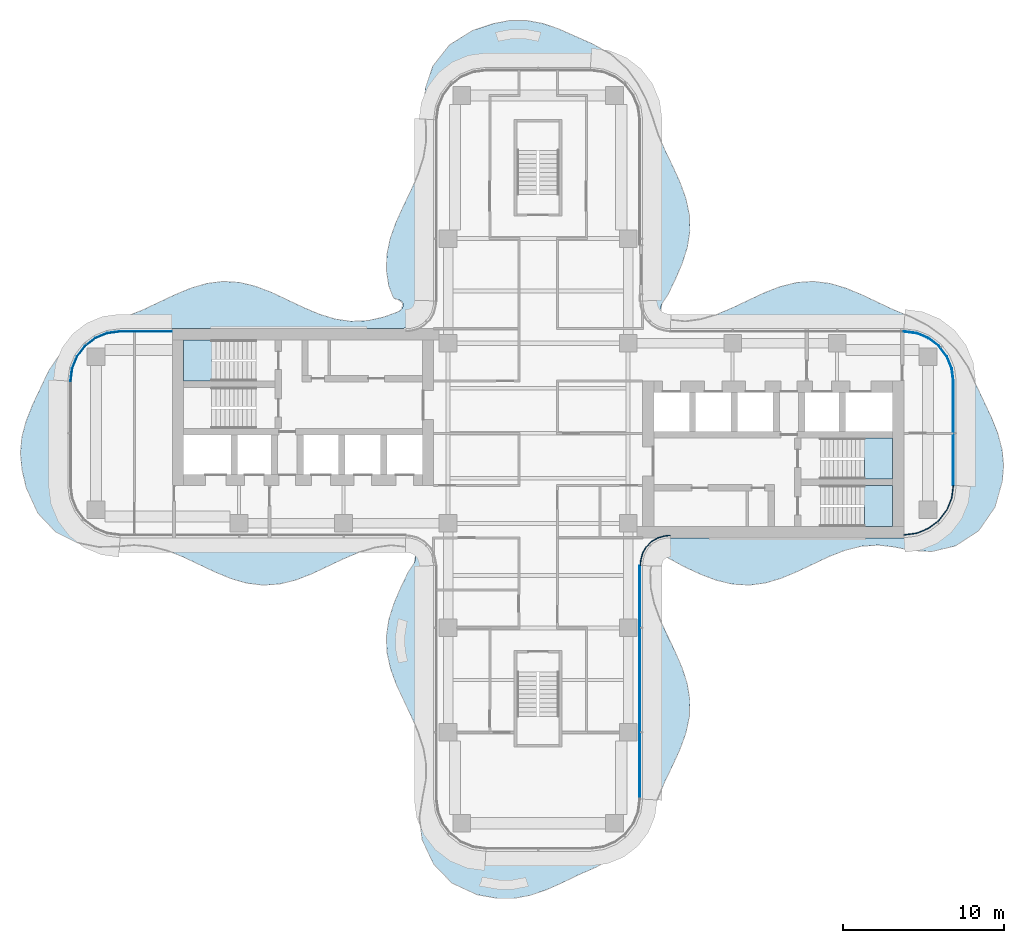
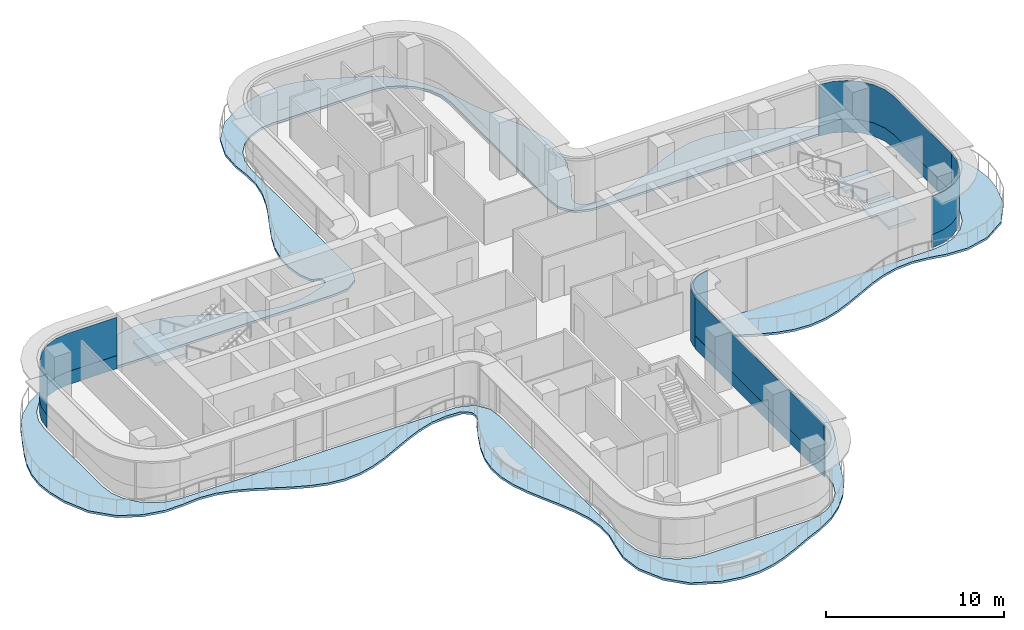
# One storey, part 11 of 18: 9 plates, 4 slabs, 8 elements without a shape of their own.
"""IFC4 building model written with IfcOpenShell, lengths in metres."""

from ifc_helpers import new_model, si_unit, direction, frame, origin, place, context, subcontext, project, spatial, polyline, outline, extrude, source, transform, mapped, material, layer, layer_set, type_object, element, aggregate, save


model = new_model("IFC4")

# Units and contexts
model_context = context("Model", 3, precision=1e-05, world=origin(), true_north=direction((0.0, 1.0)))
body_context = subcontext(model_context, "Body", "Model", "MODEL_VIEW")
ifc_project = project(units=[si_unit("LENGTHUNIT", "METRE"), si_unit("AREAUNIT", "SQUARE_METRE"), si_unit("VOLUMEUNIT", "CUBIC_METRE"), si_unit("PLANEANGLEUNIT", "RADIAN"), si_unit("MASSUNIT", "GRAM", prefix="KILO")], contexts=[model_context])

# Site, building, storey
site_placement = place(None, origin())
site = spatial("IfcSite", under=ifc_project, at=site_placement, CompositionType="ELEMENT")
building_placement = place(site_placement, origin())
building = spatial("IfcBuilding", under=site, at=building_placement, Name="Trellis Farm Tower", CompositionType="ELEMENT")
storey_placement = place(building_placement, frame((0.0, 0.0, 224.60009765625)))
storey = spatial("IfcBuildingStorey", under=building, at=storey_placement, Name="L49", CompositionType="ELEMENT", Elevation=224.60009765625)

# Slab
ifc_material_1 = material(Name="Concrete C40/50", Category="concrete")
ifc_layer_1 = layer(ifc_material_1, 0.14990234375)
ifc_layer_set_1 = layer_set([ifc_layer_1], Name="Balcony slab 150")
slab_type_1 = type_object("IfcSlabType", Name="Balcony slab 150", PredefinedType="FLOOR", material=ifc_layer_set_1)
slab_1_placement = place(storey_placement, frame((0.0, 0.0, -0.150146484375)))
element("IfcSlab", 1, at=slab_1_placement, inside=storey, type_object=slab_type_1, Name="Balcony slab", PredefinedType="FLOOR", context=body_context, shape_type="SweptSolid", body=[
    extrude(outline(polyline([(-22.111572265625, -7.6748046875), (-23.0732421875, -7.297607421875), (-23.081787109375, -7.294677734375), (-24.061767578125, -7.041015625), (-24.074462890625, -7.038818359375), (-25.118896484375, -6.953369140625), (-25.13134765625, -6.953369140625), (-26.142578125, -7.040283203125), (-26.152099609375, -7.041015625), (-27.331787109375, -7.069091796875), (-27.364501953125, -7.066162109375), (-28.6494140625, -6.81201171875), (-28.686767578125, -6.79931640625), (-29.948486328125, -6.1748046875), (-29.97119140625, -6.160888671875), (-29.998291015625, -6.140869140625), (-30.017822265625, -6.12353515625), (-31.110595703125, -4.97314453125), (-31.138427734375, -4.931884765625), (-31.826171875, -3.416015625), (-31.83544921875, -3.388427734375), (-32.097900390625, -2.272216796875), (-32.101318359375, -2.252197265625), (-32.197265625, -1.24951171875), (-32.197265625, -1.221435546875), (-32.10791015625, -0.2509765625), (-32.103515625, -0.226318359375), (-31.846435546875, 0.74755859375), (-31.8408203125, 0.7646484375), (-31.451171875, 1.74609375), (-31.447265625, 1.7548828125), (-30.43994140625, 3.881103515625), (-30.428466796875, 3.90087890625), (-29.654296875, 5.041748046875), (-29.632080078125, 5.067626953125), (-28.76171875, 5.873046875), (-28.73828125, 5.890625), (-27.765625, 6.48828125), (-27.744384765625, 6.4990234375), (-26.688720703125, 6.93505859375), (-26.676025390625, 6.939697265625), (-25.614990234375, 7.27001953125), (-25.610107421875, 7.271484375), (-24.615478515625, 7.65625), (-24.610595703125, 7.658447265625), (-22.61083984375, 8.60400390625), (-22.6044921875, 8.606689453125), (-21.62109375, 9.017822265625), (-21.60546875, 9.0234375), (-20.603271484375, 9.317626953125), (-20.57958984375, 9.322509765625), (-19.60400390625, 9.444091796875), (-19.576416015625, 9.44482421875), (-18.60546875, 9.385498046875), (-18.580078125, 9.3818359375), (-17.628662109375, 9.1572265625), (-17.610107421875, 9.151611328125), (-16.60888671875, 8.774169921875), (-16.597900390625, 8.769287109375), (-14.619384765625, 7.835205078125), (-14.61669921875, 7.833984375), (-13.632080078125, 7.414794921875), (-13.625, 7.412109375), (-12.644287109375, 7.109130859375), (-12.633056640625, 7.106689453125), (-11.652587890625, 6.96240234375), (-11.638427734375, 6.9619140625), (-10.591064453125, 7.00634765625), (-10.577880859375, 7.008056640625), (-9.597900390625, 7.22900390625), (-9.588623046875, 7.231689453125), (-8.6962890625, 7.560302734375), (-8.681640625, 7.5673828125), (-8.568603515625, 7.639892578125), (-8.555908203125, 7.650146484375), (-8.497802734375, 7.70849609375), (-8.485107421875, 7.72509765625), (-8.40673828125, 7.868408203125), (-8.397705078125, 7.908447265625), (-8.407470703125, 8.060546875), (-8.42138671875, 8.09912109375), (-8.51123046875, 8.222412109375), (-8.543701171875, 8.24755859375), (-8.697021484375, 8.30810546875), (-8.714111328125, 8.312744140625), (-8.8798828125, 8.3359375), (-8.997802734375, 8.427490234375), (-9.27734375, 9.1083984375), (-9.286865234375, 9.142578125), (-9.435546875, 10.105712890625), (-9.437255859375, 10.13330078125), (-9.408203125, 11.1044921875), (-9.40478515625, 11.130615234375), (-9.200927734375, 12.102783203125), (-9.1953125, 12.122802734375), (-8.849853515625, 13.088134765625), (-8.84521484375, 13.099609375), (-8.39306640625, 14.09619140625), (-8.3916015625, 14.099609375), (-7.9072265625, 15.103515625), (-7.906005859375, 15.10595703125), (-7.478271484375, 16.07958984375), (-7.4755859375, 16.086181640625), (-7.137451171875, 17.117431640625), (-7.134765625, 17.12841796875), (-6.969482421875, 18.12158203125), (-6.968505859375, 18.135009765625), (-6.981201171875, 19.107421875), (-6.981689453125, 19.11376953125), (-7.086181640625, 20.19287109375), (-7.086669921875, 20.21630859375), (-7.0126953125, 21.454833984375), (-7.004638671875, 21.494384765625), (-6.544921875, 22.8349609375), (-6.52099609375, 22.87890625), (-5.552490234375, 24.114013671875), (-5.51416015625, 24.148681640625), (-4.09130859375, 25.040283203125), (-4.05859375, 25.0556640625), (-2.770751953125, 25.481201171875), (-2.75146484375, 25.486083984375), (-1.7802734375, 25.6689453125), (-1.753173828125, 25.671630859375), (-0.75048828125, 25.675537109375), (-0.722900390625, 25.673095703125), (0.248291015625, 25.496826171875), (0.269287109375, 25.491455078125), (1.246826171875, 25.162109375), (1.259765625, 25.1572265625), (3.3271484375, 24.240966796875), (3.33837890625, 24.2353515625), (4.5224609375, 23.58544921875), (4.551513671875, 23.564697265625), (5.524658203125, 22.6748046875), (5.545166015625, 22.652099609375), (6.1904296875, 21.757568359375), (6.20166015625, 21.739501953125), (6.715576171875, 20.762451171875), (6.72412109375, 20.7431640625), (7.1123046875, 19.659423828125), (7.11376953125, 19.6552734375), (7.459716796875, 18.589111328125), (7.462158203125, 18.582275390625), (7.88623046875, 17.60986328125), (7.887451171875, 17.607421875), (8.37158203125, 16.60302734375), (8.372802734375, 16.60009765625), (8.827880859375, 15.603271484375), (8.83251953125, 15.591796875), (9.189697265625, 14.603271484375), (9.1953125, 14.583251953125), (9.4033203125, 13.603515625), (9.406494140625, 13.5771484375), (9.43798828125, 12.604736328125), (9.436279296875, 12.577392578125), (9.28857421875, 11.606201171875), (9.283447265625, 11.583984375), (8.97705078125, 10.607666015625), (8.9716796875, 10.593505859375), (8.55224609375, 9.615966796875), (8.549560546875, 9.610107421875), (8.0791015625, 8.6318359375), (8.068115234375, 8.613037109375), (7.70947265625, 8.0810546875), (7.70068359375, 8.063232421875), (7.647216796875, 7.906494140625), (7.643310546875, 7.886962890625), (7.627197265625, 7.61474609375), (7.62841796875, 7.596435546875), (7.655029296875, 7.455810546875), (7.670166015625, 7.423095703125), (7.76025390625, 7.31201171875), (7.7734375, 7.299072265625), (8.064208984375, 7.081298828125), (8.083251953125, 7.07080078125), (8.251708984375, 7.009033203125), (8.2734375, 7.004638671875), (9.136474609375, 6.9599609375), (9.150634765625, 6.96044921875), (10.1298828125, 7.09716796875), (10.14111328125, 7.099609375), (11.12158203125, 7.396484375), (11.129150390625, 7.3994140625), (12.113525390625, 7.814697265625), (12.116455078125, 7.816162109375), (14.0947265625, 8.751708984375), (14.105224609375, 8.756103515625), (15.085205078125, 9.1318359375), (15.103759765625, 9.137451171875), (16.106201171875, 9.379638671875), (16.1318359375, 9.383544921875), (17.105224609375, 9.4453125), (17.1328125, 9.4443359375), (18.103515625, 9.32568359375), (18.127197265625, 9.32080078125), (19.102294921875, 9.03857421875), (19.117919921875, 9.032958984375), (20.10107421875, 8.6259765625), (20.10791015625, 8.622802734375), (22.087890625, 7.684814453125), (22.091796875, 7.68310546875), (23.18359375, 7.241455078125), (23.196044921875, 7.235595703125), (24.23291015625, 6.70166015625), (24.25244140625, 6.689453125), (25.160400390625, 6.0283203125), (25.177001953125, 6.014404296875), (25.986572265625, 5.223876953125), (26.005615234375, 5.201171875), (26.71240234375, 4.166015625), (26.725341796875, 4.142822265625), (27.236572265625, 3.00830078125), (27.237060546875, 3.007080078125), (28.178955078125, 1.0078125), (28.182373046875, 0.999755859375), (28.583251953125, -0.001708984375), (28.5888671875, -0.018798828125), (28.85107421875, -1.00146484375), (28.85546875, -1.026123046875), (28.947265625, -2.000732421875), (28.947509765625, -2.02783203125), (28.863037109375, -2.996826171875), (28.85791015625, -3.0244140625), (28.43017578125, -4.5498046875), (28.409912109375, -4.593505859375), (27.44482421875, -6.0146484375), (27.426513671875, -6.037109375), (27.39990234375, -6.063232421875), (27.376708984375, -6.08203125), (25.994384765625, -6.988037109375), (25.947509765625, -7.00830078125), (24.527099609375, -7.351318359375), (24.484619140625, -7.355224609375), (23.22998046875, -7.293701171875), (23.207275390625, -7.291015625), (22.11767578125, -7.0673828125), (22.111083984375, -7.066162109375), (21.138671875, -6.95556640625), (21.124755859375, -6.955078125), (20.07763671875, -7.03173828125), (20.06494140625, -7.03369140625), (19.085205078125, -7.281005859375), (19.076416015625, -7.28369140625), (18.115478515625, -7.65625), (18.110595703125, -7.658447265625), (16.111083984375, -8.60400390625), (16.1044921875, -8.606689453125), (15.10302734375, -9.0244140625), (15.087646484375, -9.02978515625), (14.13037109375, -9.31201171875), (14.107177734375, -9.31689453125), (13.136474609375, -9.44287109375), (13.1083984375, -9.44384765625), (12.105712890625, -9.385498046875), (12.079833984375, -9.381591796875), (11.10693359375, -9.150634765625), (11.08837890625, -9.14501953125), (10.1083984375, -8.77392578125), (10.098388671875, -8.769775390625), (9.119384765625, -8.3154296875), (9.11083984375, -8.311279296875), (7.884033203125, -7.6455078125), (7.867431640625, -7.638916015625), (7.73388671875, -7.603759765625), (7.69921875, -7.60302734375), (7.564453125, -7.6328125), (7.547607421875, -7.638671875), (7.3203125, -7.75), (7.306884765625, -7.758544921875), (7.209716796875, -7.835205078125), (7.18994140625, -7.859130859375), (7.133056640625, -7.968994140625), (7.127197265625, -7.98388671875), (6.97265625, -8.55224609375), (6.970458984375, -8.563720703125), (6.9599609375, -8.65869140625), (6.95947265625, -8.6708984375), (7.006103515625, -9.63330078125), (7.0078125, -9.64599609375), (7.215576171875, -10.580810546875), (7.218505859375, -10.59033203125), (7.59423828125, -11.6171875), (7.5966796875, -11.622802734375), (8.0498046875, -12.609130859375), (8.05029296875, -12.6103515625), (8.527099609375, -13.60009765625), (8.52978515625, -13.605712890625), (8.9619140625, -14.606689453125), (8.96728515625, -14.62060546875), (9.2734375, -15.580810546875), (9.278564453125, -15.602783203125), (9.43359375, -16.57373046875), (9.435302734375, -16.601318359375), (9.407958984375, -17.604248046875), (9.40478515625, -17.630859375), (9.200927734375, -18.602783203125), (9.1953125, -18.622802734375), (8.844482421875, -19.6015625), (8.83984375, -19.61279296875), (8.39306640625, -20.596435546875), (8.3916015625, -20.599609375), (7.90673828125, -21.604736328125), (7.9052734375, -21.608154296875), (7.004150390625, -23.75634765625), (6.99169921875, -23.780029296875), (6.360107421875, -24.75390625), (6.346435546875, -24.772216796875), (5.599609375, -25.611328125), (5.583984375, -25.626708984375), (4.712646484375, -26.3583984375), (4.68994140625, -26.374267578125), (3.61474609375, -26.980712890625), (3.60107421875, -26.987548828125), (2.50537109375, -27.46533203125), (2.502685546875, -27.466552734375), (1.498291015625, -27.951416015625), (1.494140625, -27.953369140625), (0.498291015625, -28.396484375), (0.48583984375, -28.4013671875), (-0.477294921875, -28.73046875), (-0.498046875, -28.73583984375), (-1.469482421875, -28.9189453125), (-1.496826171875, -28.921630859375), (-2.499755859375, -28.92578125), (-2.526123046875, -28.92333984375), (-3.77978515625, -28.70458984375), (-3.817138671875, -28.693115234375), (-5.340087890625, -27.986083984375), (-5.3642578125, -27.97216796875), (-5.39306640625, -27.951416015625), (-5.413818359375, -27.93359375), (-6.473388671875, -26.83251953125), (-6.500732421875, -26.79296875), (-7.2041015625, -25.314453125), (-7.217529296875, -25.268310546875), (-7.385986328125, -23.904052734375), (-7.385009765625, -23.86181640625), (-7.185546875, -22.624755859375), (-7.184814453125, -22.62060546875), (-6.98486328125, -21.57470703125), (-6.983642578125, -21.561767578125), (-6.97021484375, -20.57470703125), (-6.97119140625, -20.5615234375), (-7.124267578125, -19.632080078125), (-7.126953125, -19.621337890625), (-7.45947265625, -18.589599609375), (-7.462158203125, -18.58251953125), (-7.88623046875, -17.60986328125), (-7.887451171875, -17.607421875), (-8.3701171875, -16.6064453125), (-8.371337890625, -16.603515625), (-8.822509765625, -15.6162109375), (-8.826904296875, -15.60498046875), (-9.18310546875, -14.6259765625), (-9.188720703125, -14.6064453125), (-9.399658203125, -13.634033203125), (-9.40283203125, -13.60791015625), (-9.439697265625, -12.636962890625), (-9.438232421875, -12.609130859375), (-9.28857421875, -11.6064453125), (-9.283203125, -11.583740234375), (-8.97705078125, -10.607666015625), (-8.9716796875, -10.593505859375), (-8.54931640625, -9.609130859375), (-8.54638671875, -9.603271484375), (-8.0791015625, -8.6318359375), (-8.068115234375, -8.613037109375), (-7.70947265625, -8.0810546875), (-7.70068359375, -8.063232421875), (-7.647216796875, -7.906494140625), (-7.643310546875, -7.886962890625), (-7.627197265625, -7.61474609375), (-7.62841796875, -7.596435546875), (-7.655029296875, -7.455810546875), (-7.670166015625, -7.423095703125), (-7.76025390625, -7.31201171875), (-7.7734375, -7.299072265625), (-8.064208984375, -7.081298828125), (-8.083251953125, -7.07080078125), (-8.251708984375, -7.009033203125), (-8.2734375, -7.004638671875), (-9.136474609375, -6.9599609375), (-9.150634765625, -6.96044921875), (-10.1298828125, -7.09716796875), (-10.14111328125, -7.099609375), (-11.12158203125, -7.396484375), (-11.129150390625, -7.3994140625), (-12.113525390625, -7.814697265625), (-12.116455078125, -7.816162109375), (-14.106201171875, -8.75634765625), (-14.11669921875, -8.760986328125), (-15.08544921875, -9.1318359375), (-15.103515625, -9.137451171875), (-16.076416015625, -9.375), (-16.102294921875, -9.379150390625), (-17.10498046875, -9.445068359375), (-17.133056640625, -9.4443359375), (-18.103759765625, -9.32568359375), (-18.127197265625, -9.32080078125), (-19.083740234375, -9.044921875), (-19.099365234375, -9.039306640625), (-20.100830078125, -8.6259765625), (-20.10791015625, -8.622802734375), (-22.106689453125, -7.6767578125), (-22.111572265625, -7.6748046875)]), holes=[polyline([(-6.82666015625, 7.205810546875), (-6.860595703125, 7.16064453125), (-6.8935546875, 7.12841796875), (-7.575927734375, 6.64208984375), (-7.60986328125, 6.623779296875), (-7.6552734375, 6.606689453125), (-7.69287109375, 6.59765625), (-8.61767578125, 6.500732421875), (-8.62158203125, 6.50048828125), (-26.0, 6.50048828125), (-26.84130859375, 6.389892578125), (-27.625244140625, 6.065185546875), (-28.298583984375, 5.548583984375), (-28.815185546875, 4.875244140625), (-29.139892578125, 4.09130859375), (-29.25048828125, 3.25), (-29.25048828125, -3.25), (-29.139892578125, -4.09130859375), (-28.815185546875, -4.875244140625), (-28.298583984375, -5.548583984375), (-27.625244140625, -6.065185546875), (-26.84130859375, -6.389892578125), (-26.0, -6.50048828125), (-23.765869140625, -6.50048828125), (-8.16357421875, -6.507568359375), (-8.116455078125, -6.515380859375), (-7.252685546875, -6.802001953125), (-7.210693359375, -6.823974609375), (-7.16552734375, -6.857421875), (-7.133056640625, -6.890380859375), (-6.643798828125, -7.5703125), (-6.62548828125, -7.604248046875), (-6.608154296875, -7.64990234375), (-6.59912109375, -7.6875), (-6.501953125, -8.593017578125), (-6.5009765625, -8.609130859375), (-6.50048828125, -14.179931640625), (-6.50048828125, -22.75), (-6.389892578125, -23.59130859375), (-6.065185546875, -24.375244140625), (-5.548583984375, -25.048583984375), (-4.875244140625, -25.565185546875), (-4.09130859375, -25.889892578125), (-3.25, -26.00048828125), (3.25, -26.00048828125), (4.09130859375, -25.889892578125), (4.875244140625, -25.565185546875), (5.548583984375, -25.048583984375), (6.065185546875, -24.375244140625), (6.389892578125, -23.59130859375), (6.50048828125, -22.75), (6.50048828125, -8.616455078125), (6.500732421875, -8.61181640625), (6.59912109375, -7.6875), (6.608154296875, -7.64990234375), (6.62548828125, -7.604248046875), (6.643798828125, -7.5703125), (7.133056640625, -6.890380859375), (7.16552734375, -6.857421875), (7.210693359375, -6.823974609375), (7.252685546875, -6.802001953125), (8.116455078125, -6.515380859375), (8.16357421875, -6.507568359375), (20.997802734375, -6.50048828125), (22.75, -6.50048828125), (23.59130859375, -6.389892578125), (24.375244140625, -6.065185546875), (25.048583984375, -5.548583984375), (25.565185546875, -4.875244140625), (25.889892578125, -4.09130859375), (26.00048828125, -3.25), (26.00048828125, 3.25), (25.889892578125, 4.09130859375), (25.565185546875, 4.875244140625), (25.048583984375, 5.548583984375), (24.375244140625, 6.065185546875), (23.59130859375, 6.389892578125), (22.75, 6.50048828125), (20.997802734375, 6.50048828125), (8.16357421875, 6.507568359375), (8.116455078125, 6.515380859375), (7.252685546875, 6.802001953125), (7.210693359375, 6.823974609375), (7.16552734375, 6.857421875), (7.133056640625, 6.890380859375), (6.643798828125, 7.5703125), (6.62548828125, 7.604248046875), (6.608154296875, 7.64990234375), (6.59912109375, 7.6875), (6.501953125, 8.593017578125), (6.5009765625, 8.609130859375), (6.50048828125, 12.591552734375), (6.50048828125, 19.5), (6.389892578125, 20.34130859375), (6.065185546875, 21.125244140625), (5.548583984375, 21.798583984375), (4.875244140625, 22.315185546875), (4.09130859375, 22.639892578125), (3.25, 22.75048828125), (-3.25, 22.75048828125), (-4.09130859375, 22.639892578125), (-4.875244140625, 22.315185546875), (-5.548583984375, 21.798583984375), (-6.065185546875, 21.125244140625), (-6.389892578125, 20.34130859375), (-6.50048828125, 19.5), (-6.50048828125, 18.26318359375), (-6.508056640625, 8.158203125), (-6.515869140625, 8.110595703125), (-6.8046875, 7.248046875), (-6.82666015625, 7.205810546875)])]), origin(), (0.0, 0.0, 1.0), 0.150146484375),
])

# Stair, slab
ifc_material_2 = material(Name="Concrete C50/60", Category="concrete")
stair_type = type_object("IfcStairType", Name="CORE EXIT STAIR 22 RISERS 177 MM", PredefinedType="HALF_TURN_STAIR", material=ifc_material_2)
placement_1 = place(storey_placement, origin())
stair_1 = element("IfcStair", 2, at=placement_1, inside=storey, type_object=stair_type, Name="Exit stair E1", PredefinedType="HALF_TURN_STAIR")
ifc_layer_2 = layer(ifc_material_2, 0.18994140625)
ifc_layer_set_2 = layer_set([ifc_layer_2], Name="CORE STAIR LANDING 190 CONCRETE C50/60")
slab_type_2 = type_object("IfcSlabType", Name="CORE STAIR LANDING 190 CONCRETE C50/60", PredefinedType="LANDING", material=ifc_layer_set_2)
shared_shape_1 = source(origin(), body_context, "Body", "SweptSolid", [
    extrude(outline(polyline([(20.2900390625, -5.800048828125), (20.2900390625, -4.60009765625), (20.300048828125, -4.60009765625), (20.300048828125, -4.449951171875), (19.971923828125, -4.449951171875), (19.971923828125, -3.25), (20.300048828125, -3.25), (22.050048828125, -3.25), (22.050048828125, -5.800048828125), (20.300048828125, -5.800048828125), (20.2900390625, -5.800048828125)])), origin(), (0.0, 0.0, 1.0), 0.18994140625),
])
placement_2 = place(storey_placement, frame((0.0, 0.0, 1.760009765625)))
slab_2 = element("IfcSlab", 3, at=placement_2, type_object=slab_type_2, Name="STE1 landing 1", PredefinedType="LANDING", context=body_context, shape_type="MappedRepresentation", body=[
    mapped(shared_shape_1, transform((0.0, 0.0, 0.0))),
])
aggregate(stair_1, [slab_2])

stair_2 = element("IfcStair", 4, at=placement_1, inside=storey, type_object=stair_type, Name="Exit stair E2", PredefinedType="HALF_TURN_STAIR")
shared_shape_2 = source(origin(), body_context, "Body", "SweptSolid", [
    extrude(outline(polyline([(20.2900390625, -2.85009765625), (20.2900390625, -1.64990234375), (20.300048828125, -1.64990234375), (20.300048828125, -1.5), (19.971923828125, -1.5), (19.971923828125, -0.300048828125), (20.300048828125, -0.300048828125), (22.050048828125, -0.300048828125), (22.050048828125, -2.85009765625), (20.300048828125, -2.85009765625), (20.2900390625, -2.85009765625)])), origin(), (0.0, 0.0, 1.0), 0.18994140625),
])
slab_3 = element("IfcSlab", 5, at=placement_2, type_object=slab_type_2, Name="STE2 landing 1", PredefinedType="LANDING", context=body_context, shape_type="MappedRepresentation", body=[
    mapped(shared_shape_2, transform((0.0, 0.0, 0.0))),
])
aggregate(stair_2, [slab_3])

stair_3 = element("IfcStair", 6, at=placement_1, inside=storey, type_object=stair_type, Name="Exit stair W1", PredefinedType="HALF_TURN_STAIR")
shared_shape_3 = source(origin(), body_context, "Body", "SweptSolid", [
    extrude(outline(polyline([(-19.971923828125, 4.449951171875), (-19.971923828125, 3.25), (-20.300048828125, 3.25), (-22.050048828125, 3.25), (-22.050048828125, 5.800048828125), (-20.300048828125, 5.800048828125), (-20.2900390625, 5.800048828125), (-20.2900390625, 4.60009765625), (-20.300048828125, 4.60009765625), (-20.300048828125, 4.449951171875), (-19.971923828125, 4.449951171875)])), origin(), (0.0, 0.0, 1.0), 0.18994140625),
])
slab_4 = element("IfcSlab", 7, at=placement_2, type_object=slab_type_2, Name="STW1 landing 1", PredefinedType="LANDING", context=body_context, shape_type="MappedRepresentation", body=[
    mapped(shared_shape_3, transform((0.0, 0.0, 0.0))),
])
aggregate(stair_3, [slab_4])

# Curtain wall, plate
ifc_material_3 = material(Name="Aluminium and glass curtain wall", Category="aluminium")
ifc_layer_3 = layer(ifc_material_3, 0.18994140625)
ifc_layer_set_3 = layer_set([ifc_layer_3], Name="RIBBON CURTAIN WALL CW1")
curtain_wall_type_1 = type_object("IfcCurtainWallType", Name="RIBBON CURTAIN WALL CW1", PredefinedType="NOTDEFINED", material=ifc_layer_set_3)
curtain_wall_1 = element("IfcCurtainWall", 8, at=placement_1, inside=storey, type_object=curtain_wall_type_1, Name="CW1 004", PredefinedType="NOTDEFINED")
ifc_material_4 = material(Name="Sandstone faced insulated panel", Category="masonry")
ifc_layer_4 = layer(ifc_material_4, 0.050048828125)
ifc_layer_set_4 = layer_set([ifc_layer_4], Name="CW1 STONE SPANDREL PANEL 50")
plate_type_1 = type_object("IfcPlateType", Name="CW1 STONE SPANDREL PANEL 50", PredefinedType="CURTAIN_PANEL", material=ifc_layer_set_4)
shared_shape_4 = source(origin(), body_context, "Body", "SweptSolid", [
    extrude(outline(polyline([(6.35009765625, -22.740234375), (6.35009765625, -8.2265625), (6.300048828125, -8.224853515625), (6.300048828125, -22.73681640625), (6.35009765625, -22.740234375)])), origin(), (0.0, 0.0, 1.0), 0.89990234375),
])
plate_1 = element("IfcPlate", 9, at=placement_1, type_object=plate_type_1, Name="PS1 004", PredefinedType="CURTAIN_PANEL", context=body_context, shape_type="MappedRepresentation", body=[
    mapped(shared_shape_4, transform((0.0, 0.0, 0.0))),
])

# Curtain wall, plates
curtain_wall_2 = element("IfcCurtainWall", 10, at=placement_1, inside=storey, type_object=curtain_wall_type_1, Name="CW1 012", PredefinedType="NOTDEFINED")
ifc_material_5 = material(Name="Clear insulated glass", Category="glass")
ifc_layer_5 = layer(ifc_material_5, 0.0400390625)
ifc_layer_set_5 = layer_set([ifc_layer_5], Name="CW1 GLASS PANEL 40")
plate_type_2 = type_object("IfcPlateType", Name="CW1 GLASS PANEL 40", PredefinedType="CURTAIN_PANEL", material=ifc_layer_set_5)
shared_shape_5 = source(origin(), body_context, "Body", "SweptSolid", [
    extrude(outline(polyline([(-22.780029296875, 6.35009765625), (-25.990234375, 6.35009765625), (-26.802001953125, 6.2431640625), (-27.54931640625, 5.93359375), (-28.191162109375, 5.441162109375), (-28.68359375, 4.79931640625), (-28.9931640625, 4.052001953125), (-29.10009765625, 3.240234375), (-29.06005859375, 3.237548828125), (-28.9541015625, 4.04150390625), (-28.648681640625, 4.779296875), (-28.16259765625, 5.41259765625), (-27.529296875, 5.898681640625), (-26.79150390625, 6.2041015625), (-25.987548828125, 6.31005859375), (-22.780029296875, 6.31005859375), (-22.780029296875, 6.35009765625)])), origin(), (0.0, 0.0, 1.0), 2.6201171875),
])
placement_3 = place(storey_placement, frame((0.0, 0.0, 0.89990234375)))
plate_2 = element("IfcPlate", 11, at=placement_3, type_object=plate_type_2, Name="PL1 012", PredefinedType="CURTAIN_PANEL", context=body_context, shape_type="MappedRepresentation", body=[
    mapped(shared_shape_5, transform((0.0, 0.0, 0.0))),
])
shared_shape_6 = source(origin(), body_context, "Body", "SweptSolid", [
    extrude(outline(polyline([(-22.780029296875, 6.35009765625), (-25.990234375, 6.35009765625), (-26.802001953125, 6.2431640625), (-27.54931640625, 5.93359375), (-28.191162109375, 5.441162109375), (-28.68359375, 4.79931640625), (-28.9931640625, 4.052001953125), (-29.10009765625, 3.240234375), (-29.050048828125, 3.23681640625), (-28.9443359375, 4.0390625), (-28.639892578125, 4.774169921875), (-28.155517578125, 5.405517578125), (-27.524169921875, 5.889892578125), (-26.7890625, 6.1943359375), (-25.98681640625, 6.300048828125), (-22.780029296875, 6.300048828125), (-22.780029296875, 6.35009765625)])), origin(), (0.0, 0.0, 1.0), 0.89990234375),
])
plate_3 = element("IfcPlate", 12, at=placement_1, type_object=plate_type_1, Name="PS1 012", PredefinedType="CURTAIN_PANEL", context=body_context, shape_type="MappedRepresentation", body=[
    mapped(shared_shape_6, transform((0.0, 0.0, 0.0))),
])
aggregate(curtain_wall_2, [plate_2, plate_3])

# Curtain wall, plate
ifc_layer_6 = layer(ifc_material_3, 0.166015625)
ifc_layer_set_6 = layer_set([ifc_layer_6], Name="WINTER GARDEN CURTAIN WALL CW3")
curtain_wall_type_2 = type_object("IfcCurtainWallType", Name="WINTER GARDEN CURTAIN WALL CW3", PredefinedType="NOTDEFINED", material=ifc_layer_set_6)
curtain_wall_3 = element("IfcCurtainWall", 13, at=placement_1, inside=storey, type_object=curtain_wall_type_2, Name="CW3 002", PredefinedType="NOTDEFINED")
ifc_layer_7 = layer(ifc_material_5, 0.0458984375)
ifc_layer_set_7 = layer_set([ifc_layer_7], Name="CW3 GLASS PANEL 46")
plate_type_3 = type_object("IfcPlateType", Name="CW3 GLASS PANEL 46", PredefinedType="CURTAIN_PANEL", material=ifc_layer_set_7)
shared_shape_7 = source(origin(), body_context, "Body", "SweptSolid", [
    extrude(outline(polyline([(6.3798828125, -8.2275390625), (6.394287109375, -8.0078125), (6.40966796875, -7.89208984375), (6.52490234375, -7.462158203125), (6.7509765625, -7.070556640625), (7.070556640625, -6.7509765625), (7.462158203125, -6.52490234375), (7.89208984375, -6.40966796875), (8.0078125, -6.394287109375), (8.2275390625, -6.3798828125), (8.22607421875, -6.333984375), (8.003173828125, -6.3486328125), (7.883056640625, -6.364501953125), (7.4443359375, -6.48193359375), (7.04248046875, -6.714111328125), (6.714111328125, -7.04248046875), (6.48193359375, -7.4443359375), (6.364501953125, -7.883056640625), (6.3486328125, -8.003173828125), (6.333984375, -8.22607421875), (6.3798828125, -8.2275390625)])), origin(), (0.0, 0.0, 1.0), 3.5498046875),
])
plate_4 = element("IfcPlate", 14, at=placement_1, type_object=plate_type_3, Name="PL3 002", PredefinedType="CURTAIN_PANEL", context=body_context, shape_type="MappedRepresentation", body=[
    mapped(shared_shape_7, transform((0.0, 0.0, 0.0))),
])
aggregate(curtain_wall_3, [plate_4])

# Plate
shared_shape_8 = source(origin(), body_context, "Body", "SweptSolid", [
    extrude(outline(polyline([(6.35009765625, -22.740234375), (6.35009765625, -8.2265625), (6.31005859375, -8.22509765625), (6.31005859375, -22.737548828125), (6.35009765625, -22.740234375)])), origin(), (0.0, 0.0, 1.0), 2.6201171875),
])
plate_5 = element("IfcPlate", 15, at=placement_3, type_object=plate_type_2, Name="PL1 004", PredefinedType="CURTAIN_PANEL", context=body_context, shape_type="MappedRepresentation", body=[
    mapped(shared_shape_8, transform((0.0, 0.0, 0.0))),
])

aggregate(curtain_wall_1, [plate_5, plate_1])

# Curtain wall, plates
curtain_wall_4 = element("IfcCurtainWall", 16, at=placement_1, inside=storey, type_object=curtain_wall_type_1, Name="CW1 005", PredefinedType="NOTDEFINED")
shared_shape_9 = source(origin(), body_context, "Body", "SweptSolid", [
    extrude(outline(polyline([(22.740234375, -6.35009765625), (23.552001953125, -6.2431640625), (24.29931640625, -5.93359375), (24.941162109375, -5.441162109375), (25.43359375, -4.79931640625), (25.7431640625, -4.052001953125), (25.85009765625, -3.240234375), (25.81005859375, -3.237548828125), (25.7041015625, -4.04150390625), (25.398681640625, -4.779296875), (24.91259765625, -5.41259765625), (24.279296875, -5.898681640625), (23.54150390625, -6.2041015625), (22.737548828125, -6.31005859375), (22.740234375, -6.35009765625)])), origin(), (0.0, 0.0, 1.0), 2.6201171875),
])
plate_6 = element("IfcPlate", 17, at=placement_3, type_object=plate_type_2, Name="PL1 005", PredefinedType="CURTAIN_PANEL", context=body_context, shape_type="MappedRepresentation", body=[
    mapped(shared_shape_9, transform((0.0, 0.0, 0.0))),
])
shared_shape_10 = source(origin(), body_context, "Body", "SweptSolid", [
    extrude(outline(polyline([(22.740234375, -6.35009765625), (23.552001953125, -6.2431640625), (24.29931640625, -5.93359375), (24.941162109375, -5.441162109375), (25.43359375, -4.79931640625), (25.7431640625, -4.052001953125), (25.85009765625, -3.240234375), (25.800048828125, -3.23681640625), (25.6943359375, -4.0390625), (25.389892578125, -4.774169921875), (24.905517578125, -5.405517578125), (24.274169921875, -5.889892578125), (23.5390625, -6.1943359375), (22.73681640625, -6.300048828125), (22.740234375, -6.35009765625)])), origin(), (0.0, 0.0, 1.0), 0.89990234375),
])
plate_7 = element("IfcPlate", 18, at=placement_1, type_object=plate_type_1, Name="PS1 005", PredefinedType="CURTAIN_PANEL", context=body_context, shape_type="MappedRepresentation", body=[
    mapped(shared_shape_10, transform((0.0, 0.0, 0.0))),
])
aggregate(curtain_wall_4, [plate_6, plate_7])

curtain_wall_5 = element("IfcCurtainWall", 19, at=placement_1, inside=storey, type_object=curtain_wall_type_1, Name="CW1 006", PredefinedType="NOTDEFINED")
shared_shape_11 = source(origin(), body_context, "Body", "SweptSolid", [
    extrude(outline(polyline([(25.85009765625, -3.240234375), (25.85009765625, 3.240234375), (25.7431640625, 4.052001953125), (25.43359375, 4.79931640625), (24.941162109375, 5.441162109375), (24.29931640625, 5.93359375), (23.552001953125, 6.2431640625), (22.740234375, 6.35009765625), (22.737548828125, 6.31005859375), (23.54150390625, 6.2041015625), (24.279296875, 5.898681640625), (24.91259765625, 5.41259765625), (25.398681640625, 4.779296875), (25.7041015625, 4.04150390625), (25.81005859375, 3.237548828125), (25.81005859375, -3.237548828125), (25.85009765625, -3.240234375)])), origin(), (0.0, 0.0, 1.0), 2.6201171875),
])
plate_8 = element("IfcPlate", 20, at=placement_3, type_object=plate_type_2, Name="PL1 006", PredefinedType="CURTAIN_PANEL", context=body_context, shape_type="MappedRepresentation", body=[
    mapped(shared_shape_11, transform((0.0, 0.0, 0.0))),
])
shared_shape_12 = source(origin(), body_context, "Body", "SweptSolid", [
    extrude(outline(polyline([(25.85009765625, -3.240234375), (25.85009765625, 3.240234375), (25.7431640625, 4.052001953125), (25.43359375, 4.79931640625), (24.941162109375, 5.441162109375), (24.29931640625, 5.93359375), (23.552001953125, 6.2431640625), (22.740234375, 6.35009765625), (22.73681640625, 6.300048828125), (23.5390625, 6.1943359375), (24.274169921875, 5.889892578125), (24.905517578125, 5.405517578125), (25.389892578125, 4.774169921875), (25.6943359375, 4.0390625), (25.800048828125, 3.23681640625), (25.800048828125, -3.23681640625), (25.85009765625, -3.240234375)])), origin(), (0.0, 0.0, 1.0), 0.89990234375),
])
plate_9 = element("IfcPlate", 21, at=placement_1, type_object=plate_type_1, Name="PS1 006", PredefinedType="CURTAIN_PANEL", context=body_context, shape_type="MappedRepresentation", body=[
    mapped(shared_shape_12, transform((0.0, 0.0, 0.0))),
])
aggregate(curtain_wall_5, [plate_8, plate_9])

save(model, "model.ifc")
